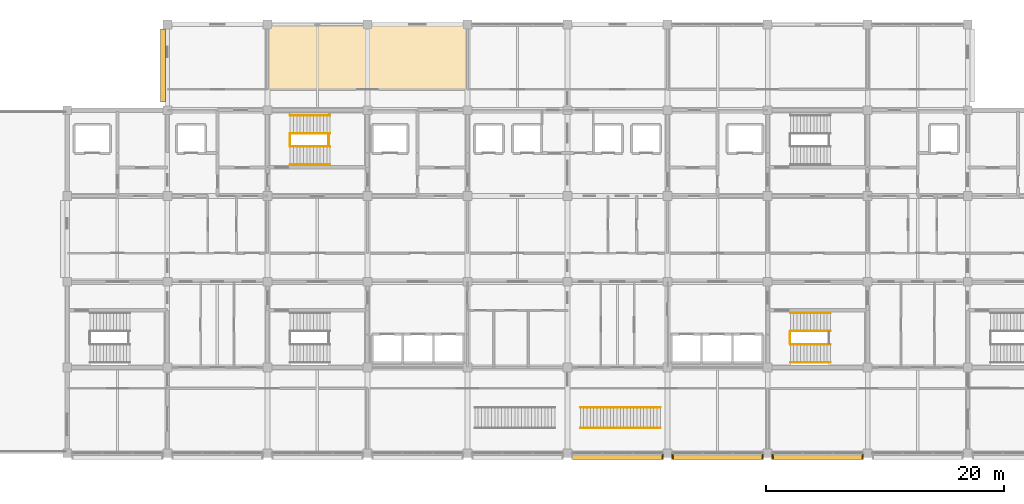
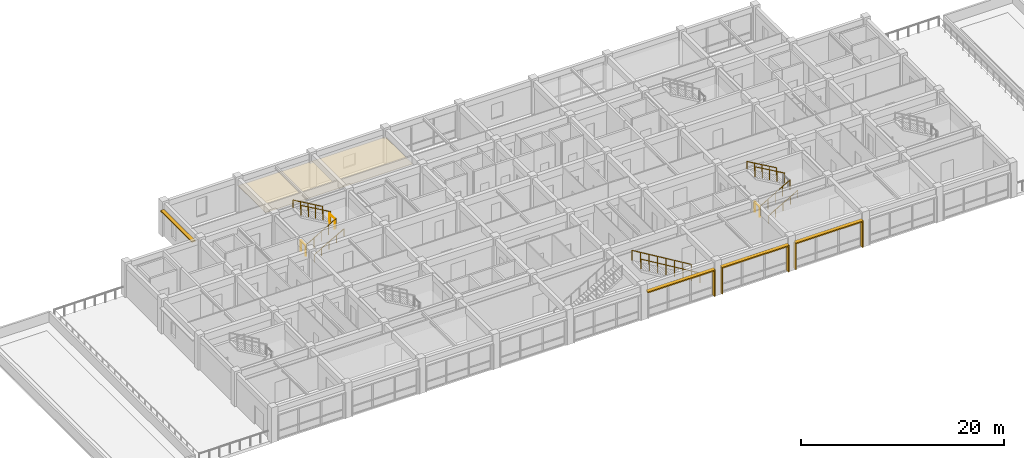
# One storey, part 26 of 27: 13 railings, 9 shading devices, 1 covering.
"""IFC4 building model written with IfcOpenShell, lengths in metres."""

from ifc_helpers import new_model, si_unit, direction, frame, origin, origin_2d, place, context, subcontext, project, spatial, polyline, rectangle, circle, outline, extrude, material, layer, layer_set, type_object, element, save


model = new_model("IFC4")

# Units and contexts
model_context = context("Model", 3, precision=1e-05, world=origin(), true_north=direction((0.0, 1.0)))
body_context = subcontext(model_context, "Body", "Model", "MODEL_VIEW")
ifc_project = project(units=[si_unit("LENGTHUNIT", "METRE"), si_unit("AREAUNIT", "SQUARE_METRE"), si_unit("VOLUMEUNIT", "CUBIC_METRE"), si_unit("PLANEANGLEUNIT", "RADIAN"), si_unit("MASSUNIT", "GRAM", prefix="KILO")], contexts=[model_context])

# Site, building, storey
site_placement = place(None, origin())
site = spatial("IfcSite", under=ifc_project, at=site_placement, CompositionType="ELEMENT")
building_placement = place(site_placement, origin())
building = spatial("IfcBuilding", under=site, at=building_placement, Name="Chengyuan Square Courthouse", CompositionType="ELEMENT")
storey_placement = place(building_placement, frame((0.0, 0.0, 35.10009765625)))
storey = spatial("IfcBuildingStorey", under=building, at=storey_placement, Name="L08", CompositionType="ELEMENT", Elevation=35.10009765625)

# Covering
ifc_material_1 = material(Name="Perforated Larch Glulam Acoustic Slat Ceiling", Category="wood")
ifc_layer = layer(ifc_material_1, 0.044921875)
ifc_layer_set = layer_set([ifc_layer], Name="Perforated Larch Glulam Acoustic Slat Ceiling")
covering_type = type_object("IfcCoveringType", Name="CLG-01", PredefinedType="CEILING", material=ifc_layer_set)
covering_placement = place(storey_placement, frame((0.0, 0.0, 2.849853515625)))
element("IfcCovering", 1, at=covering_placement, inside=storey, type_object=covering_type, Name="Acoustic Timber Slat Ceiling CLG-L08-ACN-07", PredefinedType="CEILING", context=body_context, shape_type="SweptSolid", body=[
    extrude(outline(polyline([(58.85009765625, 109.800048828125), (75.550048828125, 109.800048828125), (75.550048828125, 115.14990234375), (58.85009765625, 115.14990234375), (58.85009765625, 109.800048828125)])), origin(), (0.0, 0.0, 1.0), 0.045166015625),
])

# Railings
ifc_material_2 = material(Name="Tempered Glass and Timber Top-Rail Balustrade", Category="wood")
railing_type_1 = type_object("IfcRailingType", Name="RL-02", PredefinedType="BALUSTRADE", material=ifc_material_2)
for number, where, name in (
    (2, (60.68994140625, 105.0, 0.0), "Stair Floor Slot Guard ST-1 L08"),
    (3, (63.949951171875, 105.0, 2.099853515625), "Stair Landing Guard ST-1-L08"),
):
    element("IfcRailing", number, at=place(storey_placement, frame(where)), inside=storey, type_object=railing_type_1, Name=name, PredefinedType="BALUSTRADE", context=body_context, shape_type="SweptSolid", body=[
        extrude(circle(Radius=0.02392578125, at=origin_2d()), frame((0.0, 0.0, 1.17578125), z_axis=(0.0, 1.0, 0.0), x_axis=(-1.0, 0.0, 0.0)), (0.0, 0.0, 1.0), 1.0),
        extrude(circle(Radius=0.02099609375, at=origin_2d()), origin(), (0.0, 0.0, 1.0), 1.15185546875),
        extrude(circle(Radius=0.02099609375, at=origin_2d()), frame((0.0, 1.0, 0.0)), (0.0, 0.0, 1.0), 1.15185546875),
    ])
railing_1_placement = place(storey_placement, frame((60.7099609375, 104.949951171875, 0.161376953125)))
element("IfcRailing", 4, at=railing_1_placement, inside=storey, type_object=railing_type_1, Name="Stair Flight 1 Guard ST-1-L08", PredefinedType="BALUSTRADE", context=body_context, shape_type="SweptSolid", body=[
    extrude(circle(Radius=0.02392578125, at=origin_2d()), frame((0.0, 0.0, 1.17578125), z_axis=(0.866190824863, 0.0, 0.499713372768), x_axis=(0.0, 1.0, 0.0)), (0.0, 0.0, 1.0), 3.879150390625),
    extrude(circle(Radius=0.02099609375, at=origin_2d()), origin(), (0.0, 0.0, 1.0), 1.15185546875),
    extrude(circle(Radius=0.02099609375, at=origin_2d()), frame((0.840087890625, 0.0, 0.484619140625)), (0.0, 0.0, 1.0), 1.15185546875),
    extrude(circle(Radius=0.02099609375, at=origin_2d()), frame((1.68017578125, 0.0, 0.96923828125)), (0.0, 0.0, 1.0), 1.15185546875),
    extrude(circle(Radius=0.02099609375, at=origin_2d()), frame((2.52001953125, 0.0, 1.453857421875)), (0.0, 0.0, 1.0), 1.15185546875),
    extrude(circle(Radius=0.02099609375, at=origin_2d()), frame((3.360107421875, 0.0, 1.9384765625)), (0.0, 0.0, 1.0), 1.15185546875),
])
railing_2_placement = place(storey_placement, frame((64.070068359375, 106.050048828125, 2.261474609375)))
element("IfcRailing", 5, at=railing_2_placement, inside=storey, type_object=railing_type_1, Name="Stair Flight 2 Guard ST-1-L08", PredefinedType="BALUSTRADE", context=body_context, shape_type="SweptSolid", body=[
    extrude(circle(Radius=0.02392578125, at=origin_2d()), frame((0.0, 0.0, 1.17578125), z_axis=(-0.866190824863, 0.0, 0.499713372768), x_axis=(0.0, -1.0, 0.0)), (0.0, 0.0, 1.0), 3.879150390625),
    extrude(circle(Radius=0.02099609375, at=origin_2d()), origin(), (0.0, 0.0, 1.0), 1.15185546875),
    extrude(circle(Radius=0.02099609375, at=origin_2d()), frame((-0.840087890625, 0.0, 0.484619140625)), (0.0, 0.0, 1.0), 1.15185546875),
    extrude(circle(Radius=0.02099609375, at=origin_2d()), frame((-1.68017578125, 0.0, 0.96923828125)), (0.0, 0.0, 1.0), 1.15185546875),
    extrude(circle(Radius=0.02099609375, at=origin_2d()), frame((-2.52001953125, 0.0, 1.453857421875)), (0.0, 0.0, 1.0), 1.15185546875),
    extrude(circle(Radius=0.02099609375, at=origin_2d()), frame((-3.360107421875, 0.0, 1.9384765625)), (0.0, 0.0, 1.0), 1.15185546875),
])
railing_3_placement = place(storey_placement, frame((102.68994140625, 88.39990234375, 0.0)))
element("IfcRailing", 6, at=railing_3_placement, inside=storey, type_object=railing_type_1, Name="Stair Floor Slot Guard ST-4 L08", PredefinedType="BALUSTRADE", context=body_context, shape_type="SweptSolid", body=[
    extrude(circle(Radius=0.02392578125, at=origin_2d()), frame((0.0, 0.0, 1.17578125), z_axis=(0.0, 1.0, 0.0), x_axis=(-1.0, 0.0, 0.0)), (0.0, 0.0, 1.0), 1.0),
    extrude(circle(Radius=0.02099609375, at=origin_2d()), origin(), (0.0, 0.0, 1.0), 1.15185546875),
    extrude(circle(Radius=0.02099609375, at=origin_2d()), frame((0.0, 1.0, 0.0)), (0.0, 0.0, 1.0), 1.15185546875),
])
railing_4_placement = place(storey_placement, frame((102.7099609375, 88.35009765625, 0.161376953125)))
element("IfcRailing", 7, at=railing_4_placement, inside=storey, type_object=railing_type_1, Name="Stair Flight 1 Guard ST-4-L08", PredefinedType="BALUSTRADE", context=body_context, shape_type="SweptSolid", body=[
    extrude(circle(Radius=0.02392578125, at=origin_2d()), frame((0.0, 0.0, 1.17578125), z_axis=(0.866190824863, 0.0, 0.499713372768), x_axis=(0.0, 1.0, 0.0)), (0.0, 0.0, 1.0), 3.879150390625),
    extrude(circle(Radius=0.02099609375, at=origin_2d()), origin(), (0.0, 0.0, 1.0), 1.15185546875),
    extrude(circle(Radius=0.02099609375, at=origin_2d()), frame((0.840087890625, 0.0, 0.484619140625)), (0.0, 0.0, 1.0), 1.15185546875),
    extrude(circle(Radius=0.02099609375, at=origin_2d()), frame((1.68017578125, 0.0, 0.96923828125)), (0.0, 0.0, 1.0), 1.15185546875),
    extrude(circle(Radius=0.02099609375, at=origin_2d()), frame((2.52001953125, 0.0, 1.453857421875)), (0.0, 0.0, 1.0), 1.15185546875),
    extrude(circle(Radius=0.02099609375, at=origin_2d()), frame((3.360107421875, 0.0, 1.9384765625)), (0.0, 0.0, 1.0), 1.15185546875),
])
railing_5_placement = place(storey_placement, frame((106.070068359375, 89.449951171875, 2.261474609375)))
element("IfcRailing", 8, at=railing_5_placement, inside=storey, type_object=railing_type_1, Name="Stair Flight 2 Guard ST-4-L08", PredefinedType="BALUSTRADE", context=body_context, shape_type="SweptSolid", body=[
    extrude(circle(Radius=0.02392578125, at=origin_2d()), frame((0.0, 0.0, 1.17578125), z_axis=(-0.866190824863, 0.0, 0.499713372768), x_axis=(0.0, -1.0, 0.0)), (0.0, 0.0, 1.0), 3.879150390625),
    extrude(circle(Radius=0.02099609375, at=origin_2d()), origin(), (0.0, 0.0, 1.0), 1.15185546875),
    extrude(circle(Radius=0.02099609375, at=origin_2d()), frame((-0.840087890625, 0.0, 0.484619140625)), (0.0, 0.0, 1.0), 1.15185546875),
    extrude(circle(Radius=0.02099609375, at=origin_2d()), frame((-1.68017578125, 0.0, 0.96923828125)), (0.0, 0.0, 1.0), 1.15185546875),
    extrude(circle(Radius=0.02099609375, at=origin_2d()), frame((-2.52001953125, 0.0, 1.453857421875)), (0.0, 0.0, 1.0), 1.15185546875),
    extrude(circle(Radius=0.02099609375, at=origin_2d()), frame((-3.360107421875, 0.0, 1.9384765625)), (0.0, 0.0, 1.0), 1.15185546875),
])
for number, where, name in (
    (9, (91.7900390625, 81.340087890625, 0.16796875), "Feature Stair Flight Guard ST-11B"),
    (10, (91.7900390625, 83.06005859375, 0.16796875), "Feature Stair Flight Guard ST-11B"),
):
    element("IfcRailing", number, at=place(storey_placement, frame(where)), inside=storey, type_object=railing_type_1, Name=name, PredefinedType="BALUSTRADE", context=body_context, shape_type="SweptSolid", body=[
        extrude(circle(Radius=0.02392578125, at=origin_2d()), frame((0.0, 0.0, 1.17578125), z_axis=(-0.857492925713, 0.0, 0.514495755428), x_axis=(0.0, -1.0, 0.0)), (0.0, 0.0, 1.0), 7.836669921875),
        extrude(circle(Radius=0.02099609375, at=origin_2d()), origin(), (0.0, 0.0, 1.0), 1.15185546875),
        extrude(circle(Radius=0.02099609375, at=origin_2d()), frame((-0.9599609375, 0.0, 0.575927734375)), (0.0, 0.0, 1.0), 1.15185546875),
        extrude(circle(Radius=0.02099609375, at=origin_2d()), frame((-1.919921875, 0.0, 1.152099609375)), (0.0, 0.0, 1.0), 1.15185546875),
        extrude(circle(Radius=0.02099609375, at=origin_2d()), frame((-2.8798828125, 0.0, 1.72802734375)), (0.0, 0.0, 1.0), 1.15185546875),
        extrude(circle(Radius=0.02099609375, at=origin_2d()), frame((-3.840087890625, 0.0, 2.303955078125)), (0.0, 0.0, 1.0), 1.15185546875),
        extrude(circle(Radius=0.02099609375, at=origin_2d()), frame((-4.800048828125, 0.0, 2.8798828125)), (0.0, 0.0, 1.0), 1.15185546875),
        extrude(circle(Radius=0.02099609375, at=origin_2d()), frame((-5.760009765625, 0.0, 3.4560546875)), (0.0, 0.0, 1.0), 1.15185546875),
        extrude(circle(Radius=0.02099609375, at=origin_2d()), frame((-6.719970703125, 0.0, 4.031982421875)), (0.0, 0.0, 1.0), 1.15185546875),
    ])
ifc_material_3 = material(Name="Stainless Steel S30408 Stair Handrail", Category="steel")
railing_type_2 = type_object("IfcRailingType", Name="RL-04", PredefinedType="HANDRAIL", material=ifc_material_3)
railing_6_placement = place(storey_placement, frame((60.7099609375, 103.419921875, 0.161376953125)))
element("IfcRailing", 11, at=railing_6_placement, inside=storey, type_object=railing_type_2, Name="Stair Flight 1 Handrail ST-1-L08", PredefinedType="HANDRAIL", context=body_context, shape_type="SweptSolid", body=[
    extrude(circle(Radius=0.02392578125, at=origin_2d()), frame((0.0, 0.0, 0.8759765625), z_axis=(0.866190824863, 0.0, 0.499713372768), x_axis=(0.0, 1.0, 0.0)), (0.0, 0.0, 1.0), 3.879150390625),
    extrude(circle(Radius=0.02099609375, at=origin_2d()), origin(), (0.0, 0.0, 1.0), 0.851806640625),
    extrude(circle(Radius=0.02099609375, at=origin_2d()), frame((0.840087890625, 0.0, 0.484619140625)), (0.0, 0.0, 1.0), 0.851806640625),
    extrude(circle(Radius=0.02099609375, at=origin_2d()), frame((1.68017578125, 0.0, 0.96923828125)), (0.0, 0.0, 1.0), 0.851806640625),
    extrude(circle(Radius=0.02099609375, at=origin_2d()), frame((2.52001953125, 0.0, 1.453857421875)), (0.0, 0.0, 1.0), 0.851806640625),
    extrude(circle(Radius=0.02099609375, at=origin_2d()), frame((3.360107421875, 0.0, 1.9384765625)), (0.0, 0.0, 1.0), 0.851806640625),
])
railing_7_placement = place(storey_placement, frame((64.070068359375, 107.580078125, 2.261474609375)))
element("IfcRailing", 12, at=railing_7_placement, inside=storey, type_object=railing_type_2, Name="Stair Flight 2 Handrail ST-1-L08", PredefinedType="HANDRAIL", context=body_context, shape_type="SweptSolid", body=[
    extrude(circle(Radius=0.02392578125, at=origin_2d()), frame((0.0, 0.0, 0.8759765625), z_axis=(-0.866190824863, 0.0, 0.499713372768), x_axis=(0.0, -1.0, 0.0)), (0.0, 0.0, 1.0), 3.879150390625),
    extrude(circle(Radius=0.02099609375, at=origin_2d()), origin(), (0.0, 0.0, 1.0), 0.851806640625),
    extrude(circle(Radius=0.02099609375, at=origin_2d()), frame((-0.840087890625, 0.0, 0.484619140625)), (0.0, 0.0, 1.0), 0.851806640625),
    extrude(circle(Radius=0.02099609375, at=origin_2d()), frame((-1.68017578125, 0.0, 0.96923828125)), (0.0, 0.0, 1.0), 0.851806640625),
    extrude(circle(Radius=0.02099609375, at=origin_2d()), frame((-2.52001953125, 0.0, 1.453857421875)), (0.0, 0.0, 1.0), 0.851806640625),
    extrude(circle(Radius=0.02099609375, at=origin_2d()), frame((-3.360107421875, 0.0, 1.9384765625)), (0.0, 0.0, 1.0), 0.851806640625),
])
railing_8_placement = place(storey_placement, frame((102.7099609375, 86.820068359375, 0.161376953125)))
element("IfcRailing", 13, at=railing_8_placement, inside=storey, type_object=railing_type_2, Name="Stair Flight 1 Handrail ST-4-L08", PredefinedType="HANDRAIL", context=body_context, shape_type="SweptSolid", body=[
    extrude(circle(Radius=0.02392578125, at=origin_2d()), frame((0.0, 0.0, 0.8759765625), z_axis=(0.866190824863, 0.0, 0.499713372768), x_axis=(0.0, 1.0, 0.0)), (0.0, 0.0, 1.0), 3.879150390625),
    extrude(circle(Radius=0.02099609375, at=origin_2d()), origin(), (0.0, 0.0, 1.0), 0.851806640625),
    extrude(circle(Radius=0.02099609375, at=origin_2d()), frame((0.840087890625, 0.0, 0.484619140625)), (0.0, 0.0, 1.0), 0.851806640625),
    extrude(circle(Radius=0.02099609375, at=origin_2d()), frame((1.68017578125, 0.0, 0.96923828125)), (0.0, 0.0, 1.0), 0.851806640625),
    extrude(circle(Radius=0.02099609375, at=origin_2d()), frame((2.52001953125, 0.0, 1.453857421875)), (0.0, 0.0, 1.0), 0.851806640625),
    extrude(circle(Radius=0.02099609375, at=origin_2d()), frame((3.360107421875, 0.0, 1.9384765625)), (0.0, 0.0, 1.0), 0.851806640625),
])
railing_9_placement = place(storey_placement, frame((106.070068359375, 90.97998046875, 2.261474609375)))
element("IfcRailing", 14, at=railing_9_placement, inside=storey, type_object=railing_type_2, Name="Stair Flight 2 Handrail ST-4-L08", PredefinedType="HANDRAIL", context=body_context, shape_type="SweptSolid", body=[
    extrude(circle(Radius=0.02392578125, at=origin_2d()), frame((0.0, 0.0, 0.8759765625), z_axis=(-0.866190824863, 0.0, 0.499713372768), x_axis=(0.0, -1.0, 0.0)), (0.0, 0.0, 1.0), 3.879150390625),
    extrude(circle(Radius=0.02099609375, at=origin_2d()), origin(), (0.0, 0.0, 1.0), 0.851806640625),
    extrude(circle(Radius=0.02099609375, at=origin_2d()), frame((-0.840087890625, 0.0, 0.484619140625)), (0.0, 0.0, 1.0), 0.851806640625),
    extrude(circle(Radius=0.02099609375, at=origin_2d()), frame((-1.68017578125, 0.0, 0.96923828125)), (0.0, 0.0, 1.0), 0.851806640625),
    extrude(circle(Radius=0.02099609375, at=origin_2d()), frame((-2.52001953125, 0.0, 1.453857421875)), (0.0, 0.0, 1.0), 0.851806640625),
    extrude(circle(Radius=0.02099609375, at=origin_2d()), frame((-3.360107421875, 0.0, 1.9384765625)), (0.0, 0.0, 1.0), 0.851806640625),
])

# Shading devices
ifc_material_4 = material(Name="Glulam TCt28 Solar Shading Fin", Category="wood")
shading_device_type_1 = type_object("IfcShadingDeviceType", Name="SHD-01", PredefinedType="JALOUSIE", material=ifc_material_4)
for number, where, z_axis, x_axis, name in (
    (15, (91.992431640625, 78.907958984375, 0.0400390625), (0.0, 0.0, 1.0), (0.0, 1.0, 0.0), "Glulam Solar Fin SHD-L08-0703"),
    (16, (92.8076171875, 78.907958984375, 0.0400390625), (0.0, 0.0, 1.0), (0.0, 1.0, 0.0), "Glulam Solar Fin SHD-L08-0705"),
    (17, (100.392578125, 78.907958984375, 0.0400390625), (0.0, 0.0, 1.0), (0.0, 1.0, 0.0), "Glulam Solar Fin SHD-L08-0706"),
    (18, (101.20751953125, 78.907958984375, 0.0400390625), (0.0, 0.0, 1.0), (0.0, 1.0, 0.0), "Glulam Solar Fin SHD-L08-0708"),
    (19, (108.79248046875, 78.907958984375, 0.0400390625), (0.0, 0.0, 1.0), (0.0, 1.0, 0.0), "Glulam Solar Fin SHD-L08-0709"),
):
    element("IfcShadingDevice", number, at=place(storey_placement, frame(where, z_axis=z_axis, x_axis=x_axis)), inside=storey, type_object=shading_device_type_1, Name=name, PredefinedType="JALOUSIE", context=body_context, shape_type="SweptSolid", body=[
        extrude(rectangle(XDim=0.419921875, YDim=0.094970703125, at=origin_2d()), origin(), (0.0, 0.0, 1.0), 3.090087890625),
    ])
ifc_material_5 = material(Name="Glulam TCt28 Sunshade Louvre", Category="wood")
shading_device_type_2 = type_object("IfcShadingDeviceType", Name="SHD-02", PredefinedType="AWNING", material=ifc_material_5)
for number, where, z_axis, x_axis, name in (
    (20, (88.199951171875, 78.907958984375, 3.1298828125), (0.0, 0.0, 1.0), (1.0, 0.0, 0.0), "Glulam Sunshade Louvre SHD-L08-0704"),
    (21, (96.60009765625, 78.907958984375, 3.1298828125), (0.0, 0.0, 1.0), (1.0, 0.0, 0.0), "Glulam Sunshade Louvre SHD-L08-0707"),
    (22, (105.0, 78.907958984375, 3.1298828125), (0.0, 0.0, 1.0), (1.0, 0.0, 0.0), "Glulam Sunshade Louvre SHD-L08-0710"),
):
    element("IfcShadingDevice", number, at=place(storey_placement, frame(where, z_axis=z_axis, x_axis=x_axis)), inside=storey, type_object=shading_device_type_2, Name=name, PredefinedType="AWNING", context=body_context, shape_type="SweptSolid", body=[
        extrude(rectangle(XDim=7.64990234375, YDim=0.43994140625, at=origin_2d()), origin(), (0.0, 0.0, 1.0), 0.139892578125),
    ])
ifc_material_6 = material(Name="Glulam TCt28 Facade Sunshade", Category="wood")
shading_device_type_3 = type_object("IfcShadingDeviceType", Name="SHD-03", PredefinedType="AWNING", material=ifc_material_6)
shading_device_placement = place(storey_placement, frame((50.032958984375, 111.75, 3.10986328125), z_axis=(0.0, 0.0, 1.0), x_axis=(0.0, 1.0, 0.0)))
element("IfcShadingDevice", 23, at=shading_device_placement, inside=storey, type_object=shading_device_type_3, Name="Glulam Facade Sunshade SHD-L08-0692", PredefinedType="AWNING", context=body_context, shape_type="SweptSolid", body=[
    extrude(rectangle(XDim=6.159912109375, YDim=0.39990234375, at=origin_2d()), origin(), (0.0, 0.0, 1.0), 0.139892578125),
])

save(model, "model.ifc")
